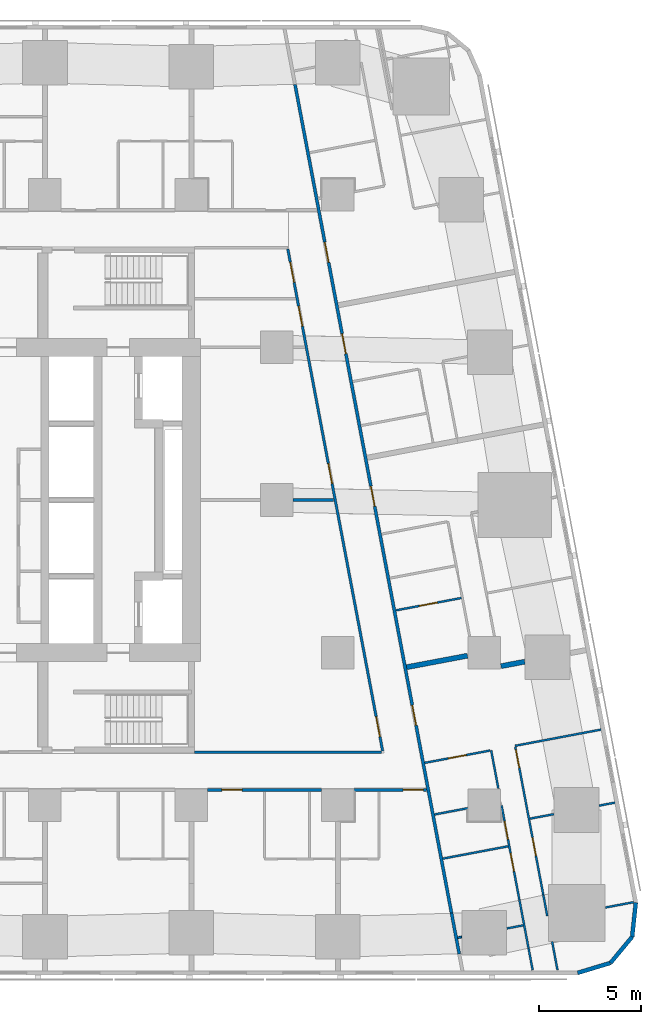
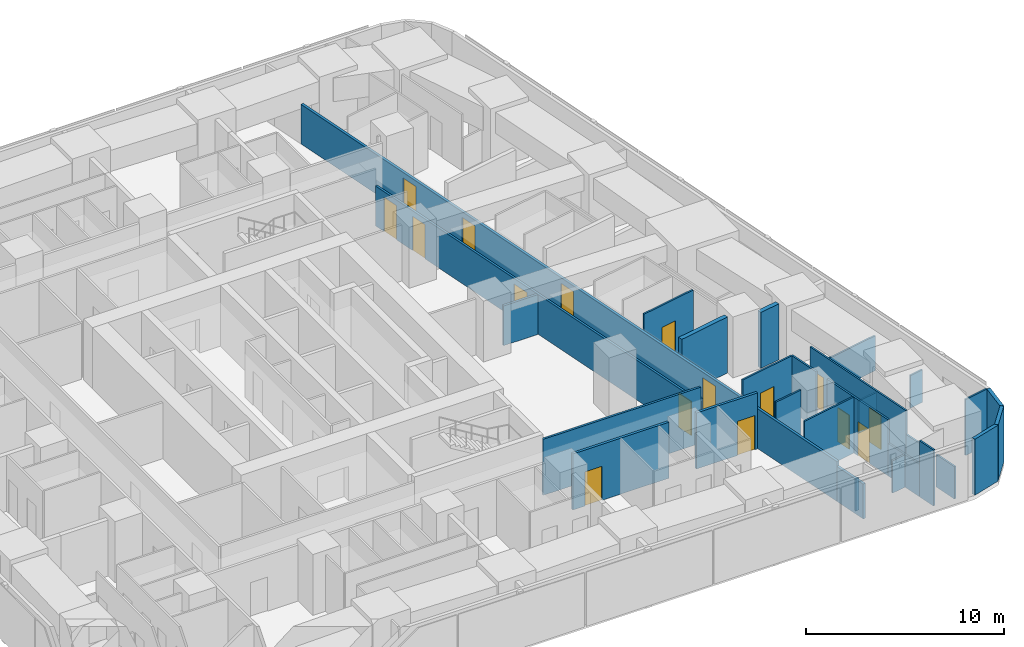
# One storey, part 6 of 14: 29 walls, 16 doors, 16 openings.
"""IFC4 building model written with IfcOpenShell, lengths in metres."""

import ifcopenshell
import ifcopenshell.guid

model = None  # the IFC model being written
_history = None  # IfcOwnerHistory: only IFC2X3 demands one
_inside = {}  # id of a spatial element -> (the spatial element, [elements in it])
_under = {}  # id of a project, library or spatial element -> (it, [spatial elements below it])
_declared = {}  # id of a project -> (the project, [libraries it declares])
_typed = {}  # id of a type object -> (the type object, [elements of that type])
_made_of = {}  # id of a material, layer set ... -> (it, [elements and type objects made of it])


def new_model(schema):
    """Start an empty IFC model of exactly this schema.

    Asked for "IFC4X3", IfcOpenShell would pick the latest addendum, in which some entities
    have other attributes; the version numbers below select the first issue.
    IFC2X3 requires an IfcOwnerHistory on every rooted entity: one is made here for all.
    """
    global model, _history
    if schema == "IFC4X3":
        model = ifcopenshell.file(schema_version=(4, 3, 0, 0))
    else:
        model = ifcopenshell.file(schema=schema)
    _inside.clear()
    _under.clear()
    _declared.clear()
    _typed.clear()
    _made_of.clear()
    _history = None
    if model.schema == "IFC2X3":
        org = make("IfcOrganization", Name="unknown")
        user = make(
            "IfcPersonAndOrganization",
            ThePerson=make("IfcPerson", FamilyName="unknown"),
            TheOrganization=org,
        )
        app = make(
            "IfcApplication",
            ApplicationDeveloper=org,
            Version="unknown",
            ApplicationFullName="unknown",
            ApplicationIdentifier="unknown",
        )
        _history = make(
            "IfcOwnerHistory",
            OwningUser=user,
            OwningApplication=app,
            ChangeAction="ADDED",
            CreationDate=0,
        )
    return model


def make(cls, **values):
    """One entity of the class cls with the attributes given. An attribute that is None is left unset."""
    return model.create_entity(
        cls, **{name: value for name, value in values.items() if value is not None}
    )


def rooted(cls, **values):
    """An entity with a GlobalId (a new one), such as an element, a storey or a relation."""
    return make(cls, GlobalId=ifcopenshell.guid.new(), OwnerHistory=_history, **values)


def si_unit(unit_type, name, prefix=None):
    """IfcSIUnit, for example si_unit("LENGTHUNIT", "METRE", prefix="MILLI")."""
    return make("IfcSIUnit", UnitType=unit_type, Prefix=prefix, Name=name)


def assignment(units):
    """IfcUnitAssignment: the units of a project."""
    return None if units is None else make("IfcUnitAssignment", Units=units)


def point(xyz):
    """IfcCartesianPoint."""
    return None if xyz is None else make("IfcCartesianPoint", Coordinates=xyz)


def direction(xyz):
    """IfcDirection."""
    return None if xyz is None else make("IfcDirection", DirectionRatios=xyz)


def frame(location, z_axis=None, x_axis=None):
    """IfcAxis2Placement3D, a coordinate frame: its origin and axes. An axis left out is left unset."""
    return make(
        "IfcAxis2Placement3D",
        Location=point(location),
        Axis=direction(z_axis),
        RefDirection=direction(x_axis),
    )


def frame_2d(location, x_axis=None):
    """IfcAxis2Placement2D, a coordinate frame in the plane: its origin and x axis."""
    return make(
        "IfcAxis2Placement2D", Location=point(location), RefDirection=direction(x_axis)
    )


def origin():
    """The frame at (0, 0, 0) with its axes left unset."""
    return frame((0.0, 0.0, 0.0))


def place(relative_to, where):
    """IfcLocalPlacement: puts the frame where relative to a parent placement (None: the world)."""
    return make(
        "IfcLocalPlacement", PlacementRelTo=relative_to, RelativePlacement=where
    )


def context(
    kind, dimensions, precision=None, world=None, true_north=None, identifier=None
):
    """IfcGeometricRepresentationContext, for example the 3D "Model" context."""
    return make(
        "IfcGeometricRepresentationContext",
        ContextIdentifier=identifier,
        ContextType=kind,
        CoordinateSpaceDimension=dimensions,
        Precision=precision,
        WorldCoordinateSystem=world,
        TrueNorth=true_north,
    )


def subcontext(parent, identifier, kind, view, scale=None):
    """IfcGeometricRepresentationSubContext, for example "Body" below "Model"."""
    return make(
        "IfcGeometricRepresentationSubContext",
        ContextIdentifier=identifier,
        ContextType=kind,
        ParentContext=parent,
        TargetScale=scale,
        TargetView=view,
    )


def project(units=None, contexts=None):
    """IfcProject with its units and contexts."""
    return rooted(
        "IfcProject",
        Name="project",
        RepresentationContexts=contexts,
        UnitsInContext=assignment(units),
    )


def spatial(cls, under=None, at=None, **own):
    """A site, building, storey or space (cls), placed at a placement, below another one or the project."""
    s = rooted(cls, ObjectPlacement=at, **own)
    if under is not None:
        _under.setdefault(under.id(), (under, []))[1].append(s)
    return s


def profile(cls, at=None, kind="AREA", **sizes):
    """A parametric profile (cls). Its sizes go by their IFC names, for example OverallWidth=200.0."""
    return make(cls, ProfileType=kind, Position=at, **sizes)


def rectangle(**sizes):
    """IfcRectangleProfileDef."""
    return profile("IfcRectangleProfileDef", **sizes)


def extrude(swept, where, along, depth):
    """IfcExtrudedAreaSolid: the profile swept, set in the frame where, extruded along a direction by depth."""
    return make(
        "IfcExtrudedAreaSolid",
        SweptArea=swept,
        Position=where,
        ExtrudedDirection=direction(along),
        Depth=depth,
    )


def shape(context_of_items, identifier, shape_type, items):
    """IfcShapeRepresentation: the items that make up one representation, for example the "Body"."""
    return make(
        "IfcShapeRepresentation",
        ContextOfItems=context_of_items,
        RepresentationIdentifier=identifier,
        RepresentationType=shape_type,
        Items=items,
    )


def material(Name=None, Category=None):
    """IfcMaterial."""
    return make("IfcMaterial", Name=Name, Category=Category)


def layer(
    of_material, thickness, ventilated=None, Name=None, Category=None, Priority=None
):
    """IfcMaterialLayer: one layer of a wall or slab, of a material (None: an air gap)."""
    return make(
        "IfcMaterialLayer",
        Material=of_material,
        LayerThickness=thickness,
        IsVentilated=ventilated,
        Name=Name,
        Category=Category,
        Priority=Priority,
    )


def layer_set(layers, Name=None):
    """IfcMaterialLayerSet."""
    return make("IfcMaterialLayerSet", MaterialLayers=layers, LayerSetName=Name)


def made_of(thing, what):
    """Note that an element or type object is made of a material, layer set ...; save() writes the relation."""
    if what is not None:
        _made_of.setdefault(what.id(), (what, []))[1].append(thing)
    return thing


def type_object(cls, material=None, **own):
    """A type object (cls), such as IfcWallType, which elements share."""
    return made_of(rooted(cls, **own), material)


def element(
    cls,
    number,
    at=None,
    inside=None,
    cuts=None,
    type_object=None,
    material=None,
    context=None,
    identifier="Body",
    shape_type=None,
    held_by="IfcProductDefinitionShape",
    body=None,
    shapes=None,
    **own,
):
    """One element of the class cls, such as IfcWall. Its Tag is "e" and its number.

    at: its placement. inside: the storey or other place that contains it. cuts: it is an
    opening in that element (IfcRelVoidsElement). A single representation is given by context,
    identifier, shape_type and body (its items); several are given by shapes. held_by: the class
    of the entity that holds the representations. save() writes the other relations.
    """
    e = rooted(cls, Tag="e%d" % number, ObjectPlacement=at, **own)
    if body is not None:
        shapes = [shape(context, identifier, shape_type, body)]
    if shapes is not None:
        e.Representation = make(held_by, Representations=shapes)
    if inside is not None:
        _inside.setdefault(inside.id(), (inside, []))[1].append(e)
    if cuts is not None:
        rooted(
            "IfcRelVoidsElement", RelatingBuildingElement=cuts, RelatedOpeningElement=e
        )
    if type_object is not None:
        _typed.setdefault(type_object.id(), (type_object, []))[1].append(e)
    return made_of(e, material)


def fill(opening, filler):
    """IfcRelFillsElement: the door or window that sits in an opening."""
    return rooted(
        "IfcRelFillsElement",
        RelatingOpeningElement=opening,
        RelatedBuildingElement=filler,
    )


def aggregate(whole, parts):
    """IfcRelAggregates: a whole, such as a stair, and the parts it consists of."""
    return rooted("IfcRelAggregates", RelatingObject=whole, RelatedObjects=parts)


def save(model, path):
    """Write the relations noted so far, then the file.

    IfcRelAggregates (storeys below a building ...), IfcRelContainedInSpatialStructure (elements
    in a storey), IfcRelDefinesByType, IfcRelAssociatesMaterial and IfcRelDeclares: one each for
    every whole, place, type object, material and project.
    """
    for whole, parts in _under.values():
        aggregate(whole, parts)
    for where, things in _inside.values():
        rooted(
            "IfcRelContainedInSpatialStructure",
            RelatedElements=things,
            RelatingStructure=where,
        )
    for kind, things in _typed.values():
        rooted("IfcRelDefinesByType", RelatedObjects=things, RelatingType=kind)
    for what, things in _made_of.values():
        rooted("IfcRelAssociatesMaterial", RelatedObjects=things, RelatingMaterial=what)
    for by, libraries in _declared.values():
        rooted("IfcRelDeclares", RelatingContext=by, RelatedDefinitions=libraries)
    model.write(path)


model = new_model("IFC4")

# Units and contexts
model_context = context("Model", 3, precision=1e-05, world=origin(), true_north=direction((0.0, 1.0)))
body_context = subcontext(model_context, "Body", "Model", "MODEL_VIEW")
ifc_project = project(units=[si_unit("LENGTHUNIT", "METRE"), si_unit("AREAUNIT", "SQUARE_METRE"), si_unit("VOLUMEUNIT", "CUBIC_METRE"), si_unit("PLANEANGLEUNIT", "RADIAN"), si_unit("MASSUNIT", "GRAM", prefix="KILO")], contexts=[model_context])

# Site, building, storey
site_placement = place(None, origin())
site = spatial("IfcSite", under=ifc_project, at=site_placement, CompositionType="ELEMENT")
building_placement = place(site_placement, origin())
building = spatial("IfcBuilding", under=site, at=building_placement, Name="Sheger Commons Tower", CompositionType="ELEMENT")
storey_placement = place(building_placement, frame((0.0, 0.0, 126.64990234375)))
storey = spatial("IfcBuildingStorey", under=building, at=storey_placement, Name="L32", CompositionType="ELEMENT", Elevation=126.64990234375)

# Wall, opening, door
ifc_material_1 = material(Name="Hollow concrete block masonry, skimmed both sides", Category="masonry")
ifc_layer_1 = layer(ifc_material_1, 0.14990234375)
ifc_layer_set_1 = layer_set([ifc_layer_1], Name="CORRIDOR WALL 150")
wall_type_1 = type_object("IfcWallType", Name="CORRIDOR WALL 150", PredefinedType="SOLIDWALL", material=ifc_layer_set_1)
wall_1_placement = place(storey_placement, frame((40.35595703125, 8.25, 0.0), z_axis=(0.0, 0.0, 1.0), x_axis=(-1.0, 0.0, 0.0)))
wall_1 = element("IfcWall", 1, at=wall_1_placement, inside=storey, type_object=wall_type_1, Name="Corridor wall L32", PredefinedType="SOLIDWALL", context=body_context, shape_type="SweptSolid", body=[
    extrude(rectangle(XDim=3.554931640625, YDim=0.14990234375, at=frame_2d((1.77734375, 0.0))), origin(), (0.0, 0.0, 1.0), 3.4501953125),
])
opening_1_placement = place(wall_1_placement, frame((0.14990234375, 0.0, 0.0)))
opening_1 = element("IfcOpeningElement", 2, at=opening_1_placement, cuts=wall_1, Name="Opening D1", PredefinedType="OPENING", context=body_context, shape_type="SweptSolid", body=[
    extrude(rectangle(XDim=1.0, YDim=2.10009765625, at=frame_2d((0.5, 1.050048828125))), frame((0.0, 0.0849609375, 0.0), z_axis=(0.0, -1.0, 0.0), x_axis=(1.0, 0.0, 0.0)), (0.0, 0.0, 1.0), 0.169921875),
])
ifc_material_2 = material(Name="Steel door set, fire rated", Category="steel")
door_type_1 = type_object("IfcDoorType", Name="FLAT ENTRANCE DOOR 1000x2100", OperationType="NOTDEFINED", PredefinedType="DOOR", material=ifc_material_2)
door_1_placement = place(opening_1_placement, origin())
door_1 = element("IfcDoor", 3, at=door_1_placement, inside=storey, type_object=door_type_1, Name="Flat entrance door", OperationType="SINGLE_SWING_LEFT", OverallHeight=2.10009765625, OverallWidth=1.0, PredefinedType="DOOR", context=body_context, shape_type="SweptSolid", body=[
    extrude(rectangle(XDim=1.0, YDim=2.10009765625, at=frame_2d((0.5, 1.050048828125))), frame((0.0, 0.02490234375, 0.0), z_axis=(0.0, -1.0, 0.0), x_axis=(1.0, 0.0, 0.0)), (0.0, 0.0, 1.0), 0.050048828125),
])
fill(opening_1, door_1)

wall_2_placement = place(storey_placement, frame((35.198974609375, 8.25, 0.0), z_axis=(0.0, 0.0, 1.0), x_axis=(-1.0, 0.0, 0.0)))
wall_2 = element("IfcWall", 4, at=wall_2_placement, inside=storey, type_object=wall_type_1, Name="Corridor wall L32", PredefinedType="SOLIDWALL", context=body_context, shape_type="SweptSolid", body=[
    extrude(rectangle(XDim=5.597900390625, YDim=0.14990234375, at=frame_2d((2.798828125, 0.0))), origin(), (0.0, 0.0, 1.0), 3.4501953125),
])
opening_2_placement = place(wall_2_placement, frame((3.89892578125, 0.0, 0.0)))
opening_2 = element("IfcOpeningElement", 5, at=opening_2_placement, cuts=wall_2, Name="Opening D1", PredefinedType="OPENING", context=body_context, shape_type="SweptSolid", body=[
    extrude(rectangle(XDim=1.0, YDim=2.10009765625, at=frame_2d((0.5, 1.050048828125))), frame((0.0, 0.0849609375, 0.0), z_axis=(0.0, -1.0, 0.0), x_axis=(1.0, 0.0, 0.0)), (0.0, 0.0, 1.0), 0.169921875),
])
door_2_placement = place(opening_2_placement, origin())
door_2 = element("IfcDoor", 6, at=door_2_placement, inside=storey, type_object=door_type_1, Name="Flat entrance door", OperationType="SINGLE_SWING_RIGHT", OverallHeight=2.10009765625, OverallWidth=1.0, PredefinedType="DOOR", context=body_context, shape_type="SweptSolid", body=[
    extrude(rectangle(XDim=1.0, YDim=2.10009765625, at=frame_2d((0.5, 1.050048828125))), frame((0.0, 0.02490234375, 0.0), z_axis=(0.0, -1.0, 0.0), x_axis=(1.0, 0.0, 0.0)), (0.0, 0.0, 1.0), 0.050048828125),
])
fill(opening_2, door_2)

# Wall, openings, doors
wall_3_placement = place(storey_placement, frame((33.89599609375, 42.928955078125, 0.0), z_axis=(0.0, 0.0, 1.0), x_axis=(0.1855961604, -0.982626106535, 0.0)))
wall_3 = element("IfcWall", 7, at=wall_3_placement, inside=storey, type_object=wall_type_1, Name="Corridor wall L32", PredefinedType="SOLIDWALL", context=body_context, shape_type="SweptSolid", body=[
    extrude(rectangle(XDim=41.4560546875, YDim=0.14990234375, at=frame_2d((20.72802734375, 0.0))), origin(), (0.0, 0.0, 1.0), 2.4501953125),
])
opening_3_placement = place(wall_3_placement, frame((7.89306640625, 0.0, 0.0)))
opening_3 = element("IfcOpeningElement", 8, at=opening_3_placement, cuts=wall_3, Name="Opening D1", PredefinedType="OPENING", context=body_context, shape_type="SweptSolid", body=[
    extrude(rectangle(XDim=1.0, YDim=2.10009765625, at=frame_2d((0.5, 1.050048828125))), frame((0.0, 0.0849609375, 0.0), z_axis=(0.0, -1.0, 0.0), x_axis=(1.0, 0.0, 0.0)), (0.0, 0.0, 1.0), 0.169921875),
])
opening_4_placement = place(wall_3_placement, frame((12.468017578125, 0.0, 0.0)))
opening_4 = element("IfcOpeningElement", 9, at=opening_4_placement, cuts=wall_3, Name="Opening D1", PredefinedType="OPENING", context=body_context, shape_type="SweptSolid", body=[
    extrude(rectangle(XDim=1.0, YDim=2.10009765625, at=frame_2d((0.5, 1.050048828125))), frame((0.0, 0.0849609375, 0.0), z_axis=(0.0, -1.0, 0.0), x_axis=(1.0, 0.0, 0.0)), (0.0, 0.0, 1.0), 0.169921875),
])
opening_5_placement = place(wall_3_placement, frame((20.10107421875, 0.0, 0.0)))
opening_5 = element("IfcOpeningElement", 10, at=opening_5_placement, cuts=wall_3, Name="Opening D1", PredefinedType="OPENING", context=body_context, shape_type="SweptSolid", body=[
    extrude(rectangle(XDim=1.0, YDim=2.10009765625, at=frame_2d((0.5, 1.050048828125))), frame((0.0, 0.0849609375, 0.0), z_axis=(0.0, -1.0, 0.0), x_axis=(1.0, 0.0, 0.0)), (0.0, 0.0, 1.0), 0.169921875),
])
opening_6_placement = place(wall_3_placement, frame((31.06396484375, 0.0, 0.0)))
opening_6 = element("IfcOpeningElement", 11, at=opening_6_placement, cuts=wall_3, Name="Opening D1", PredefinedType="OPENING", context=body_context, shape_type="SweptSolid", body=[
    extrude(rectangle(XDim=1.0, YDim=2.10009765625, at=frame_2d((0.5, 1.050048828125))), frame((0.0, 0.0849609375, 0.0), z_axis=(0.0, -1.0, 0.0), x_axis=(1.0, 0.0, 0.0)), (0.0, 0.0, 1.0), 0.169921875),
])
door_3_placement = place(opening_3_placement, origin())
door_3 = element("IfcDoor", 12, at=door_3_placement, inside=storey, type_object=door_type_1, Name="Flat entrance door", OperationType="SINGLE_SWING_RIGHT", OverallHeight=2.10009765625, OverallWidth=1.0, PredefinedType="DOOR", context=body_context, shape_type="SweptSolid", body=[
    extrude(rectangle(XDim=1.0, YDim=2.10009765625, at=frame_2d((0.5, 1.050048828125))), frame((0.0, 0.02490234375, 0.0), z_axis=(0.0, -1.0, 0.0), x_axis=(1.0, 0.0, 0.0)), (0.0, 0.0, 1.0), 0.050048828125),
])
fill(opening_3, door_3)
door_4_placement = place(opening_4_placement, origin())
door_4 = element("IfcDoor", 13, at=door_4_placement, inside=storey, type_object=door_type_1, Name="Flat entrance door", OperationType="SINGLE_SWING_LEFT", OverallHeight=2.10009765625, OverallWidth=1.0, PredefinedType="DOOR", context=body_context, shape_type="SweptSolid", body=[
    extrude(rectangle(XDim=1.0, YDim=2.10009765625, at=frame_2d((0.5, 1.050048828125))), frame((0.0, 0.02490234375, 0.0), z_axis=(0.0, -1.0, 0.0), x_axis=(1.0, 0.0, 0.0)), (0.0, 0.0, 1.0), 0.050048828125),
])
fill(opening_4, door_4)
door_5_placement = place(opening_5_placement, origin())
door_5 = element("IfcDoor", 14, at=door_5_placement, inside=storey, type_object=door_type_1, Name="Flat entrance door", OperationType="SINGLE_SWING_RIGHT", OverallHeight=2.10009765625, OverallWidth=1.0, PredefinedType="DOOR", context=body_context, shape_type="SweptSolid", body=[
    extrude(rectangle(XDim=1.0, YDim=2.10009765625, at=frame_2d((0.5, 1.050048828125))), frame((0.0, 0.02490234375, 0.0), z_axis=(0.0, -1.0, 0.0), x_axis=(1.0, 0.0, 0.0)), (0.0, 0.0, 1.0), 0.050048828125),
])
fill(opening_5, door_5)
door_6_placement = place(opening_6_placement, origin())
door_6 = element("IfcDoor", 15, at=door_6_placement, inside=storey, type_object=door_type_1, Name="Flat entrance door", OperationType="SINGLE_SWING_LEFT", OverallHeight=2.10009765625, OverallWidth=1.0, PredefinedType="DOOR", context=body_context, shape_type="SweptSolid", body=[
    extrude(rectangle(XDim=1.0, YDim=2.10009765625, at=frame_2d((0.5, 1.050048828125))), frame((0.0, 0.02490234375, 0.0), z_axis=(0.0, -1.0, 0.0), x_axis=(1.0, 0.0, 0.0)), (0.0, 0.0, 1.0), 0.050048828125),
])
fill(opening_6, door_6)

# Walls
wall_4_placement = place(storey_placement, frame((41.590087890625, 2.193115234375, 0.0), z_axis=(0.0, 0.0, 1.0), x_axis=(0.185338414215, -0.982674754034, 0.0)))
element("IfcWall", 16, at=wall_4_placement, inside=storey, type_object=wall_type_1, Name="Corridor wall L32", PredefinedType="SOLIDWALL", context=body_context, shape_type="SweptSolid", body=[
    extrude(rectangle(XDim=2.049560546875, YDim=0.14990234375, at=frame_2d((1.02490234375, 0.0))), origin(), (0.0, 0.0, 1.0), 2.150146484375),
])
ifc_material_3 = material(Name="Dense concrete block masonry, plastered both sides (separating wall between flats)", Category="masonry")
ifc_layer_2 = layer(ifc_material_3, 0.25)
ifc_layer_set_2 = layer_set([ifc_layer_2], Name="DEMISING WALL 250")
wall_type_2 = type_object("IfcWallType", Name="DEMISING WALL 250", PredefinedType="SOLIDWALL", material=ifc_layer_set_2)
wall_5_placement = place(storey_placement, frame((45.18994140625, 14.550048828125, 0.0), z_axis=(0.0, 0.0, 1.0), x_axis=(-0.982666604435, -0.185381618634, 0.0)))
element("IfcWall", 17, at=wall_5_placement, inside=storey, type_object=wall_type_2, Name="Demising wall L32", PredefinedType="SOLIDWALL", context=body_context, shape_type="SweptSolid", body=[
    extrude(rectangle(XDim=1.1865234375, YDim=0.25, at=frame_2d((0.59326171875, 0.0))), origin(), (0.0, 0.0, 1.0), 3.4501953125),
])
wall_6_placement = place(storey_placement, frame((42.3759765625, 14.843994140625, 0.0), z_axis=(0.0, 0.0, 1.0), x_axis=(-0.982636286056, -0.185542257522, 0.0)))
element("IfcWall", 18, at=wall_6_placement, inside=storey, type_object=wall_type_2, Name="Demising wall L32", PredefinedType="SOLIDWALL", context=body_context, shape_type="SweptSolid", body=[
    extrude(rectangle(XDim=3.044921875, YDim=0.25, at=frame_2d((1.5224609375, 0.0))), origin(), (0.0, 0.0, 1.0), 3.4501953125),
])
ifc_material_4 = material(Name="Rendered concrete block masonry, dark grey", Category="masonry")
ifc_layer_3 = layer(ifc_material_4, 0.199951171875)
ifc_layer_set_3 = layer_set([ifc_layer_3], Name="FACADE WALL 200")
wall_type_3 = type_object("IfcWallType", Name="FACADE WALL 200", PredefinedType="SOLIDWALL", material=ifc_layer_set_3)
wall_7_placement = place(storey_placement, frame((47.791015625, -0.75, 0.0), z_axis=(0.0, 0.0, 1.0), x_axis=(0.957455232626, 0.288581838509, 0.0)))
element("IfcWall", 19, at=wall_7_placement, inside=storey, type_object=wall_type_3, Name="Facade wall L32", PredefinedType="SOLIDWALL", context=body_context, shape_type="SweptSolid", body=[
    extrude(rectangle(XDim=1.687744140625, YDim=0.199951171875, at=frame_2d((0.84375, 0.0))), origin(), (0.0, 0.0, 1.0), 3.4501953125),
])
wall_8_placement = place(storey_placement, frame((49.406982421875, -0.262939453125, 0.0), z_axis=(0.0, 0.0, 1.0), x_axis=(0.638042593423, 0.770001070764, 0.0)))
element("IfcWall", 20, at=wall_8_placement, inside=storey, type_object=wall_type_3, Name="Facade wall L32", PredefinedType="SOLIDWALL", context=body_context, shape_type="SweptSolid", body=[
    extrude(rectangle(XDim=1.672607421875, YDim=0.199951171875, at=frame_2d((0.83642578125, 0.0))), origin(), (0.0, 0.0, 1.0), 3.4501953125),
])
wall_9_placement = place(storey_placement, frame((50.47412109375, 1.02490234375, 0.0), z_axis=(0.0, 0.0, 1.0), x_axis=(0.106047815515, 0.994361031429, 0.0)))
element("IfcWall", 21, at=wall_9_placement, inside=storey, type_object=wall_type_3, Name="Facade wall L32", PredefinedType="SOLIDWALL", context=body_context, shape_type="SweptSolid", body=[
    extrude(rectangle(XDim=1.6875, YDim=0.199951171875, at=frame_2d((0.84375, 0.0))), origin(), (0.0, 0.0, 1.0), 3.4501953125),
])

# Wall, opening, door
ifc_material_5 = material(Name="Gypsum board on steel studs", Category="steel")
ifc_layer_4 = layer(ifc_material_5, 0.10009765625)
ifc_layer_set_4 = layer_set([ifc_layer_4], Name="PARTITION 100")
wall_type_4 = type_object("IfcWallType", Name="PARTITION 100", PredefinedType="PARTITIONING", material=ifc_layer_set_4)
wall_10_placement = place(storey_placement, frame((42.072998046875, 17.681884765625, 0.0), z_axis=(0.0, 0.0, 1.0), x_axis=(-0.982610347627, -0.185679575441, 0.0)))
wall_10 = element("IfcWall", 22, at=wall_10_placement, inside=storey, type_object=wall_type_4, Name="Partition L32", PredefinedType="PARTITIONING", context=body_context, shape_type="SweptSolid", body=[
    extrude(rectangle(XDim=3.27392578125, YDim=0.10009765625, at=frame_2d((1.636962890625, 0.0))), origin(), (0.0, 0.0, 1.0), 3.4501953125),
])
opening_7_placement = place(wall_10_placement, frame((1.199951171875, 0.0, 0.0)))
opening_7 = element("IfcOpeningElement", 23, at=opening_7_placement, cuts=wall_10, Name="Opening D2", PredefinedType="OPENING", context=body_context, shape_type="SweptSolid", body=[
    extrude(rectangle(XDim=0.89990234375, YDim=2.10009765625, at=frame_2d((0.449951171875, 1.050048828125))), frame((0.0, 0.06005859375, 0.0), z_axis=(0.0, -1.0, 0.0), x_axis=(1.0, 0.0, 0.0)), (0.0, 0.0, 1.0), 0.1201171875),
])
ifc_material_6 = material(Name="Timber door set", Category="wood")
door_type_2 = type_object("IfcDoorType", Name="INTERNAL DOOR 900x2100", OperationType="NOTDEFINED", PredefinedType="DOOR", material=ifc_material_6)
door_7_placement = place(opening_7_placement, origin())
door_7 = element("IfcDoor", 24, at=door_7_placement, inside=storey, type_object=door_type_2, Name="Store door", OperationType="SINGLE_SWING_LEFT", OverallHeight=2.10009765625, OverallWidth=0.89990234375, PredefinedType="DOOR", context=body_context, shape_type="SweptSolid", body=[
    extrude(rectangle(XDim=0.89990234375, YDim=2.10009765625, at=frame_2d((0.449951171875, 1.050048828125))), frame((0.0, 0.02490234375, 0.0), z_axis=(0.0, -1.0, 0.0), x_axis=(1.0, 0.0, 0.0)), (0.0, 0.0, 1.0), 0.050048828125),
])
fill(opening_7, door_7)

# Wall, openings, doors
wall_11_placement = place(storey_placement, frame((44.72705078125, 10.365966796875, 0.0), z_axis=(0.0, 0.0, 1.0), x_axis=(0.185678775129, -0.982610498858, 0.0)))
wall_11 = element("IfcWall", 25, at=wall_11_placement, inside=storey, type_object=wall_type_4, Name="Partition L32", PredefinedType="PARTITIONING", context=body_context, shape_type="SweptSolid", body=[
    extrude(rectangle(XDim=7.421142578125, YDim=0.10009765625, at=frame_2d((3.71044921875, 0.0))), origin(), (0.0, 0.0, 1.0), 3.4501953125),
])
opening_8_placement = place(wall_11_placement, frame((0.15087890625, 0.0, 0.0)))
opening_8 = element("IfcOpeningElement", 26, at=opening_8_placement, cuts=wall_11, Name="Opening D2", PredefinedType="OPENING", context=body_context, shape_type="SweptSolid", body=[
    extrude(rectangle(XDim=0.89990234375, YDim=2.10009765625, at=frame_2d((0.449951171875, 1.050048828125))), frame((0.0, 0.06005859375, 0.0), z_axis=(0.0, -1.0, 0.0), x_axis=(1.0, 0.0, 0.0)), (0.0, 0.0, 1.0), 0.1201171875),
])
opening_9_placement = place(wall_11_placement, frame((4.550048828125, 0.0, 0.0)))
opening_9 = element("IfcOpeningElement", 27, at=opening_9_placement, cuts=wall_11, Name="Opening D2", PredefinedType="OPENING", context=body_context, shape_type="SweptSolid", body=[
    extrude(rectangle(XDim=0.89990234375, YDim=2.10009765625, at=frame_2d((0.449951171875, 1.050048828125))), frame((0.0, 0.06005859375, 0.0), z_axis=(0.0, -1.0, 0.0), x_axis=(1.0, 0.0, 0.0)), (0.0, 0.0, 1.0), 0.1201171875),
])
door_8_placement = place(opening_8_placement, origin())
door_8 = element("IfcDoor", 28, at=door_8_placement, inside=storey, type_object=door_type_2, Name="Main bedroom door", OperationType="SINGLE_SWING_LEFT", OverallHeight=2.10009765625, OverallWidth=0.89990234375, PredefinedType="DOOR", context=body_context, shape_type="SweptSolid", body=[
    extrude(rectangle(XDim=0.89990234375, YDim=2.10009765625, at=frame_2d((0.449951171875, 1.050048828125))), frame((0.0, 0.02490234375, 0.0), z_axis=(0.0, -1.0, 0.0), x_axis=(1.0, 0.0, 0.0)), (0.0, 0.0, 1.0), 0.050048828125),
])
fill(opening_8, door_8)
door_9_placement = place(opening_9_placement, origin())
door_9 = element("IfcDoor", 29, at=door_9_placement, inside=storey, type_object=door_type_2, Name="Bedroom 2 door", OperationType="SINGLE_SWING_LEFT", OverallHeight=2.10009765625, OverallWidth=0.89990234375, PredefinedType="DOOR", context=body_context, shape_type="SweptSolid", body=[
    extrude(rectangle(XDim=0.89990234375, YDim=2.10009765625, at=frame_2d((0.449951171875, 1.050048828125))), frame((0.0, 0.02490234375, 0.0), z_axis=(0.0, -1.0, 0.0), x_axis=(1.0, 0.0, 0.0)), (0.0, 0.0, 1.0), 0.050048828125),
])
fill(opening_9, door_9)

# Walls
wall_12_placement = place(storey_placement, frame((46.10498046875, 3.073974609375, 0.0), z_axis=(0.0, 0.0, 1.0), x_axis=(0.185897769544, -0.982569091351, 0.0)))
element("IfcWall", 30, at=wall_12_placement, inside=storey, type_object=wall_type_4, Name="Partition L32", PredefinedType="PARTITIONING", context=body_context, shape_type="SweptSolid", body=[
    extrude(rectangle(XDim=1.044189453125, YDim=0.10009765625, at=frame_2d((0.52197265625, 0.0))), origin(), (0.0, 0.0, 1.0), 2.0),
])
wall_13_placement = place(storey_placement, frame((46.537109375, 0.787109375, 0.0), z_axis=(0.0, 0.0, 1.0), x_axis=(0.185348284603, -0.982672892368, 0.0)))
element("IfcWall", 31, at=wall_13_placement, inside=storey, type_object=wall_type_4, Name="Partition L32", PredefinedType="PARTITIONING", context=body_context, shape_type="SweptSolid", body=[
    extrude(rectangle(XDim=1.418701171875, YDim=0.10009765625, at=frame_2d((0.70947265625, 0.0))), origin(), (0.0, 0.0, 1.0), 2.0),
])
wall_14_placement = place(storey_placement, frame((43.5390625, 10.19189453125, 0.0), z_axis=(0.0, 0.0, 1.0), x_axis=(0.185366049966, -0.982669541362, 0.0)))
element("IfcWall", 32, at=wall_14_placement, inside=storey, type_object=wall_type_4, Name="Partition L32", PredefinedType="PARTITIONING", context=body_context, shape_type="SweptSolid", body=[
    extrude(rectangle(XDim=1.9150390625, YDim=0.10009765625, at=frame_2d((0.95751953125, 0.0))), origin(), (0.0, 0.0, 1.0), 3.4501953125),
])

# Wall, openings, doors
wall_15_placement = place(storey_placement, frame((44.049072265625, 7.489990234375, 0.0), z_axis=(0.0, 0.0, 1.0), x_axis=(0.185666332607, -0.982612849975, 0.0)))
wall_15 = element("IfcWall", 33, at=wall_15_placement, inside=storey, type_object=wall_type_4, Name="Partition L32", PredefinedType="PARTITIONING", context=body_context, shape_type="SweptSolid", body=[
    extrude(rectangle(XDim=4.74951171875, YDim=0.10009765625, at=frame_2d((2.374755859375, 0.0))), origin(), (0.0, 0.0, 1.0), 3.4501953125),
])
opening_10_placement = place(wall_15_placement, frame((0.800048828125, 0.0, 0.0)))
opening_10 = element("IfcOpeningElement", 34, at=opening_10_placement, cuts=wall_15, Name="Opening D2", PredefinedType="OPENING", context=body_context, shape_type="SweptSolid", body=[
    extrude(rectangle(XDim=0.89990234375, YDim=2.10009765625, at=frame_2d((0.449951171875, 1.050048828125))), frame((0.0, 0.06005859375, 0.0), z_axis=(0.0, -1.0, 0.0), x_axis=(1.0, 0.0, 0.0)), (0.0, 0.0, 1.0), 0.1201171875),
])
opening_11_placement = place(wall_15_placement, frame((2.39599609375, 0.0, 0.0)))
opening_11 = element("IfcOpeningElement", 35, at=opening_11_placement, cuts=wall_15, Name="Opening D2", PredefinedType="OPENING", context=body_context, shape_type="SweptSolid", body=[
    extrude(rectangle(XDim=0.89990234375, YDim=2.10009765625, at=frame_2d((0.449951171875, 1.050048828125))), frame((0.0, 0.06005859375, 0.0), z_axis=(0.0, -1.0, 0.0), x_axis=(1.0, 0.0, 0.0)), (0.0, 0.0, 1.0), 0.1201171875),
])
door_10_placement = place(opening_10_placement, origin())
door_10 = element("IfcDoor", 36, at=door_10_placement, inside=storey, type_object=door_type_2, Name="Bathroom door", OperationType="SINGLE_SWING_LEFT", OverallHeight=2.10009765625, OverallWidth=0.89990234375, PredefinedType="DOOR", context=body_context, shape_type="SweptSolid", body=[
    extrude(rectangle(XDim=0.89990234375, YDim=2.10009765625, at=frame_2d((0.449951171875, 1.050048828125))), frame((0.0, 0.02490234375, 0.0), z_axis=(0.0, -1.0, 0.0), x_axis=(1.0, 0.0, 0.0)), (0.0, 0.0, 1.0), 0.050048828125),
])
fill(opening_10, door_10)
door_11_placement = place(opening_11_placement, origin())
door_11 = element("IfcDoor", 37, at=door_11_placement, inside=storey, type_object=door_type_2, Name="Store door", OperationType="SINGLE_SWING_RIGHT", OverallHeight=2.10009765625, OverallWidth=0.89990234375, PredefinedType="DOOR", context=body_context, shape_type="SweptSolid", body=[
    extrude(rectangle(XDim=0.89990234375, YDim=2.10009765625, at=frame_2d((0.449951171875, 1.050048828125))), frame((0.0, 0.02490234375, 0.0), z_axis=(0.0, -1.0, 0.0), x_axis=(1.0, 0.0, 0.0)), (0.0, 0.0, 1.0), 0.050048828125),
])
fill(opening_11, door_11)

# Walls
wall_16_placement = place(storey_placement, frame((44.930908203125, 2.822998046875, 0.0), z_axis=(0.0, 0.0, 1.0), x_axis=(0.185631845838, -0.982619365681, 0.0)))
element("IfcWall", 38, at=wall_16_placement, inside=storey, type_object=wall_type_4, Name="Partition L32", PredefinedType="PARTITIONING", context=body_context, shape_type="SweptSolid", body=[
    extrude(rectangle(XDim=2.40283203125, YDim=0.10009765625, at=frame_2d((1.201416015625, 0.0))), origin(), (0.0, 0.0, 1.0), 2.0),
])
wall_17_placement = place(storey_placement, frame((45.376953125, 0.4619140625, 0.0), z_axis=(0.0, 0.0, 1.0), x_axis=(0.185513480919, -0.982641719243, 0.0)))
element("IfcWall", 39, at=wall_17_placement, inside=storey, type_object=wall_type_4, Name="Partition L32", PredefinedType="PARTITIONING", context=body_context, shape_type="SweptSolid", body=[
    extrude(rectangle(XDim=1.094970703125, YDim=0.10009765625, at=frame_2d((0.54736328125, 0.0))), origin(), (0.0, 0.0, 1.0), 3.4501953125),
])
wall_18_placement = place(storey_placement, frame((48.943115234375, 11.212890625, 0.0), z_axis=(0.0, 0.0, 1.0), x_axis=(-0.982633535512, -0.185556823879, 0.0)))
element("IfcWall", 40, at=wall_18_placement, inside=storey, type_object=wall_type_4, Name="Partition L32", PredefinedType="PARTITIONING", context=body_context, shape_type="SweptSolid", body=[
    extrude(rectangle(XDim=4.2998046875, YDim=0.10009765625, at=frame_2d((2.14990234375, 0.0))), origin(), (0.0, 0.0, 1.0), 2.150146484375),
])
wall_19_placement = place(storey_placement, frame((49.6220703125, 7.6201171875, 0.0), z_axis=(0.0, 0.0, 1.0), x_axis=(-0.982512656401, -0.186195810938, 0.0)))
element("IfcWall", 41, at=wall_19_placement, inside=storey, type_object=wall_type_4, Name="Partition L32", PredefinedType="PARTITIONING", context=body_context, shape_type="SweptSolid", body=[
    extrude(rectangle(XDim=0.7958984375, YDim=0.10009765625, at=frame_2d((0.39794921875, 0.0))), origin(), (0.0, 0.0, 1.0), 2.0),
])
wall_20_placement = place(storey_placement, frame((46.6201171875, 7.052978515625, 0.0), z_axis=(0.0, 0.0, 1.0), x_axis=(-0.982749355621, -0.18494243436, 0.0)))
element("IfcWall", 42, at=wall_20_placement, inside=storey, type_object=wall_type_4, Name="Partition L32", PredefinedType="PARTITIONING", context=body_context, shape_type="SweptSolid", body=[
    extrude(rectangle(XDim=1.194580078125, YDim=0.10009765625, at=frame_2d((0.59716796875, 0.0))), origin(), (0.0, 0.0, 1.0), 2.0),
])
wall_21_placement = place(storey_placement, frame((50.547119140625, 2.72607421875, 0.0), z_axis=(0.0, 0.0, 1.0), x_axis=(-0.982680053146, -0.185310315822, 0.0)))
element("IfcWall", 43, at=wall_21_placement, inside=storey, type_object=wall_type_4, Name="Partition L32", PredefinedType="PARTITIONING", context=body_context, shape_type="SweptSolid", body=[
    extrude(rectangle(XDim=1.41357421875, YDim=0.10009765625, at=frame_2d((0.706787109375, 0.0))), origin(), (0.0, 0.0, 1.0), 3.4501953125),
])

# Wall, opening, door
wall_22_placement = place(storey_placement, frame((43.489990234375, 10.18310546875, 0.0), z_axis=(0.0, 0.0, 1.0), x_axis=(-0.982607026909, -0.185697147715, 0.0)))
wall_22 = element("IfcWall", 44, at=wall_22_placement, inside=storey, type_object=wall_type_4, Name="Partition L32", PredefinedType="PARTITIONING", context=body_context, shape_type="SweptSolid", body=[
    extrude(rectangle(XDim=3.27490234375, YDim=0.10009765625, at=frame_2d((1.637451171875, 0.0))), origin(), (0.0, 0.0, 1.0), 3.4501953125),
])
opening_12_placement = place(wall_22_placement, frame((1.199951171875, 0.0, 0.0)))
opening_12 = element("IfcOpeningElement", 45, at=opening_12_placement, cuts=wall_22, Name="Opening D2", PredefinedType="OPENING", context=body_context, shape_type="SweptSolid", body=[
    extrude(rectangle(XDim=0.89990234375, YDim=2.10009765625, at=frame_2d((0.449951171875, 1.050048828125))), frame((0.0, 0.06005859375, 0.0), z_axis=(0.0, -1.0, 0.0), x_axis=(1.0, 0.0, 0.0)), (0.0, 0.0, 1.0), 0.1201171875),
])
door_12_placement = place(opening_12_placement, origin())
door_12 = element("IfcDoor", 46, at=door_12_placement, inside=storey, type_object=door_type_2, Name="Store door", OperationType="SINGLE_SWING_RIGHT", OverallHeight=2.10009765625, OverallWidth=0.89990234375, PredefinedType="DOOR", context=body_context, shape_type="SweptSolid", body=[
    extrude(rectangle(XDim=0.89990234375, YDim=2.10009765625, at=frame_2d((0.449951171875, 1.050048828125))), frame((0.0, 0.02490234375, 0.0), z_axis=(0.0, -1.0, 0.0), x_axis=(1.0, 0.0, 0.0)), (0.0, 0.0, 1.0), 0.050048828125),
])
fill(opening_12, door_12)

# Walls
wall_23_placement = place(storey_placement, frame((42.389892578125, 7.347900390625, 0.0), z_axis=(0.0, 0.0, 1.0), x_axis=(-0.9825976927, -0.185746532405, 0.0)))
element("IfcWall", 47, at=wall_23_placement, inside=storey, type_object=wall_type_4, Name="Partition L32", PredefinedType="PARTITIONING", context=body_context, shape_type="SweptSolid", body=[
    extrude(rectangle(XDim=1.66796875, YDim=0.10009765625, at=frame_2d((0.833984375, 0.0))), origin(), (0.0, 0.0, 1.0), 3.4501953125),
])
wall_24_placement = place(storey_placement, frame((45.114013671875, 1.5869140625, 0.0), z_axis=(0.0, 0.0, 1.0), x_axis=(-0.982624706348, -0.185603573443, 0.0)))
element("IfcWall", 48, at=wall_24_placement, inside=storey, type_object=wall_type_4, Name="Partition L32", PredefinedType="PARTITIONING", context=body_context, shape_type="SweptSolid", body=[
    extrude(rectangle(XDim=0.818115234375, YDim=0.10009765625, at=frame_2d((0.4091796875, 0.0))), origin(), (0.0, 0.0, 1.0), 2.0),
])
wall_25_placement = place(storey_placement, frame((42.090087890625, 1.01611328125, 0.0), z_axis=(0.0, 0.0, 1.0), x_axis=(-0.982208563973, -0.187793335502, 0.0)))
element("IfcWall", 49, at=wall_25_placement, inside=storey, type_object=wall_type_4, Name="Partition L32", PredefinedType="PARTITIONING", context=body_context, shape_type="SweptSolid", body=[
    extrude(rectangle(XDim=0.197509765625, YDim=0.10009765625, at=frame_2d((0.0986328125, 0.0))), origin(), (0.0, 0.0, 1.0), 2.0),
])
wall_26_placement = place(storey_placement, frame((44.37890625, 5.47412109375, 0.0), z_axis=(0.0, 0.0, 1.0), x_axis=(-0.982607026909, -0.185697147715, 0.0)))
element("IfcWall", 50, at=wall_26_placement, inside=storey, type_object=wall_type_4, Name="Partition L32", PredefinedType="PARTITIONING", context=body_context, shape_type="SweptSolid", body=[
    extrude(rectangle(XDim=3.27490234375, YDim=0.10009765625, at=frame_2d((1.637451171875, 0.0))), origin(), (0.0, 0.0, 1.0), 3.4501953125),
])
ifc_material_7 = material(Name="Gypsum board on steel studs, two layers each side, fire rated", Category="steel")
ifc_layer_5 = layer(ifc_material_7, 0.125)
ifc_layer_set_5 = layer_set([ifc_layer_5], Name="SERVICE WALL 125")
wall_type_5 = type_object("IfcWallType", Name="SERVICE WALL 125", PredefinedType="PARTITIONING", material=ifc_layer_set_5)
wall_27_placement = place(storey_placement, frame((28.949951171875, 10.10009765625, 0.0), z_axis=(0.0, 0.0, 1.0), x_axis=(1.0, 0.0, 0.0)))
element("IfcWall", 51, at=wall_27_placement, inside=storey, type_object=wall_type_5, Name="Service room wall L32", PredefinedType="PARTITIONING", context=body_context, shape_type="SweptSolid", body=[
    extrude(rectangle(XDim=9.18798828125, YDim=0.125, at=frame_2d((4.593994140625, 0.0))), origin(), (0.0, 0.0, 1.0), 3.4501953125),
])

# Wall, openings, doors
wall_28_placement = place(storey_placement, frame((38.201904296875, 10.1630859375, 0.0), z_axis=(0.0, 0.0, 1.0), x_axis=(-0.185610321132, 0.982623431783, 0.0)))
wall_28 = element("IfcWall", 52, at=wall_28_placement, inside=storey, type_object=wall_type_5, Name="Service room wall L32", PredefinedType="PARTITIONING", context=body_context, shape_type="SweptSolid", body=[
    extrude(rectangle(XDim=25.111083984375, YDim=0.125, at=frame_2d((12.5556640625, 0.0))), origin(), (0.0, 0.0, 1.0), 2.4501953125),
])
opening_13_placement = place(wall_28_placement, frame((0.7080078125, 0.0, 0.0)))
opening_13 = element("IfcOpeningElement", 53, at=opening_13_placement, cuts=wall_28, Name="Opening D4", PredefinedType="OPENING", context=body_context, shape_type="SweptSolid", body=[
    extrude(rectangle(XDim=1.0, YDim=2.10009765625, at=frame_2d((0.5, 1.050048828125))), frame((0.0, 0.072509765625, 0.0), z_axis=(0.0, -1.0, 0.0), x_axis=(1.0, 0.0, 0.0)), (0.0, 0.0, 1.0), 0.14501953125),
])
opening_14_placement = place(wall_28_placement, frame((13.3779296875, 0.0, 0.0)))
opening_14 = element("IfcOpeningElement", 54, at=opening_14_placement, cuts=wall_28, Name="Opening D4", PredefinedType="OPENING", context=body_context, shape_type="SweptSolid", body=[
    extrude(rectangle(XDim=1.0, YDim=2.10009765625, at=frame_2d((0.5, 1.050048828125))), frame((0.0, 0.072509765625, 0.0), z_axis=(0.0, -1.0, 0.0), x_axis=(1.0, 0.0, 0.0)), (0.0, 0.0, 1.0), 0.14501953125),
])
opening_15_placement = place(wall_28_placement, frame((21.25, 0.0, 0.0)))
opening_15 = element("IfcOpeningElement", 55, at=opening_15_placement, cuts=wall_28, Name="Opening D4", PredefinedType="OPENING", context=body_context, shape_type="SweptSolid", body=[
    extrude(rectangle(XDim=1.0, YDim=2.10009765625, at=frame_2d((0.5, 1.050048828125))), frame((0.0, 0.072509765625, 0.0), z_axis=(0.0, -1.0, 0.0), x_axis=(1.0, 0.0, 0.0)), (0.0, 0.0, 1.0), 0.14501953125),
])
opening_16_placement = place(wall_28_placement, frame((23.452880859375, 0.0, 0.0)))
opening_16 = element("IfcOpeningElement", 56, at=opening_16_placement, cuts=wall_28, Name="Opening D4", PredefinedType="OPENING", context=body_context, shape_type="SweptSolid", body=[
    extrude(rectangle(XDim=1.0, YDim=2.10009765625, at=frame_2d((0.5, 1.050048828125))), frame((0.0, 0.072509765625, 0.0), z_axis=(0.0, -1.0, 0.0), x_axis=(1.0, 0.0, 0.0)), (0.0, 0.0, 1.0), 0.14501953125),
])
ifc_material_8 = material(Name="Steel door set, fire rated", Category="steel")
door_type_3 = type_object("IfcDoorType", Name="SERVICE DOOR 1000x2100", OperationType="NOTDEFINED", PredefinedType="DOOR", material=ifc_material_8)
door_13_placement = place(opening_13_placement, origin())
door_13 = element("IfcDoor", 57, at=door_13_placement, inside=storey, type_object=door_type_3, Name="Children's play room door", OperationType="SINGLE_SWING_LEFT", OverallHeight=2.10009765625, OverallWidth=1.0, PredefinedType="DOOR", context=body_context, shape_type="SweptSolid", body=[
    extrude(rectangle(XDim=1.0, YDim=2.10009765625, at=frame_2d((0.5, 1.050048828125))), frame((0.0, 0.02490234375, 0.0), z_axis=(0.0, -1.0, 0.0), x_axis=(1.0, 0.0, 0.0)), (0.0, 0.0, 1.0), 0.050048828125),
])
fill(opening_13, door_13)
door_14_placement = place(opening_14_placement, origin())
door_14 = element("IfcDoor", 58, at=door_14_placement, inside=storey, type_object=door_type_3, Name="Residents' meeting room door", OperationType="SINGLE_SWING_LEFT", OverallHeight=2.10009765625, OverallWidth=1.0, PredefinedType="DOOR", context=body_context, shape_type="SweptSolid", body=[
    extrude(rectangle(XDim=1.0, YDim=2.10009765625, at=frame_2d((0.5, 1.050048828125))), frame((0.0, 0.02490234375, 0.0), z_axis=(0.0, -1.0, 0.0), x_axis=(1.0, 0.0, 0.0)), (0.0, 0.0, 1.0), 0.050048828125),
])
fill(opening_14, door_14)
door_15_placement = place(opening_15_placement, origin())
door_15 = element("IfcDoor", 59, at=door_15_placement, inside=storey, type_object=door_type_3, Name="Residents' store door", OperationType="SINGLE_SWING_RIGHT", OverallHeight=2.10009765625, OverallWidth=1.0, PredefinedType="DOOR", context=body_context, shape_type="SweptSolid", body=[
    extrude(rectangle(XDim=1.0, YDim=2.10009765625, at=frame_2d((0.5, 1.050048828125))), frame((0.0, 0.02490234375, 0.0), z_axis=(0.0, -1.0, 0.0), x_axis=(1.0, 0.0, 0.0)), (0.0, 0.0, 1.0), 0.050048828125),
])
fill(opening_15, door_15)
door_16_placement = place(opening_16_placement, origin())
door_16 = element("IfcDoor", 60, at=door_16_placement, inside=storey, type_object=door_type_3, Name="Caretaker's store door", OperationType="SINGLE_SWING_RIGHT", OverallHeight=2.10009765625, OverallWidth=1.0, PredefinedType="DOOR", context=body_context, shape_type="SweptSolid", body=[
    extrude(rectangle(XDim=1.0, YDim=2.10009765625, at=frame_2d((0.5, 1.050048828125))), frame((0.0, 0.02490234375, 0.0), z_axis=(0.0, -1.0, 0.0), x_axis=(1.0, 0.0, 0.0)), (0.0, 0.0, 1.0), 0.050048828125),
])
fill(opening_16, door_16)

# Wall
wall_29_placement = place(storey_placement, frame((33.801025390625, 22.5, 0.0), z_axis=(0.0, 0.0, 1.0), x_axis=(1.0, 0.0, 0.0)))
element("IfcWall", 61, at=wall_29_placement, inside=storey, type_object=wall_type_5, Name="Service room wall L32", PredefinedType="PARTITIONING", context=body_context, shape_type="SweptSolid", body=[
    extrude(rectangle(XDim=1.994873046875, YDim=0.125, at=frame_2d((0.99755859375, 0.0))), origin(), (0.0, 0.0, 1.0), 2.4501953125),
])

save(model, "model.ifc")
